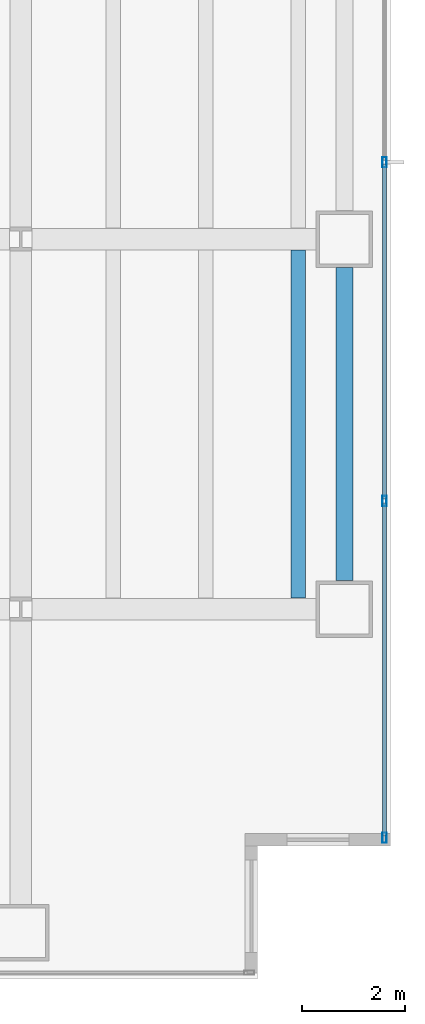
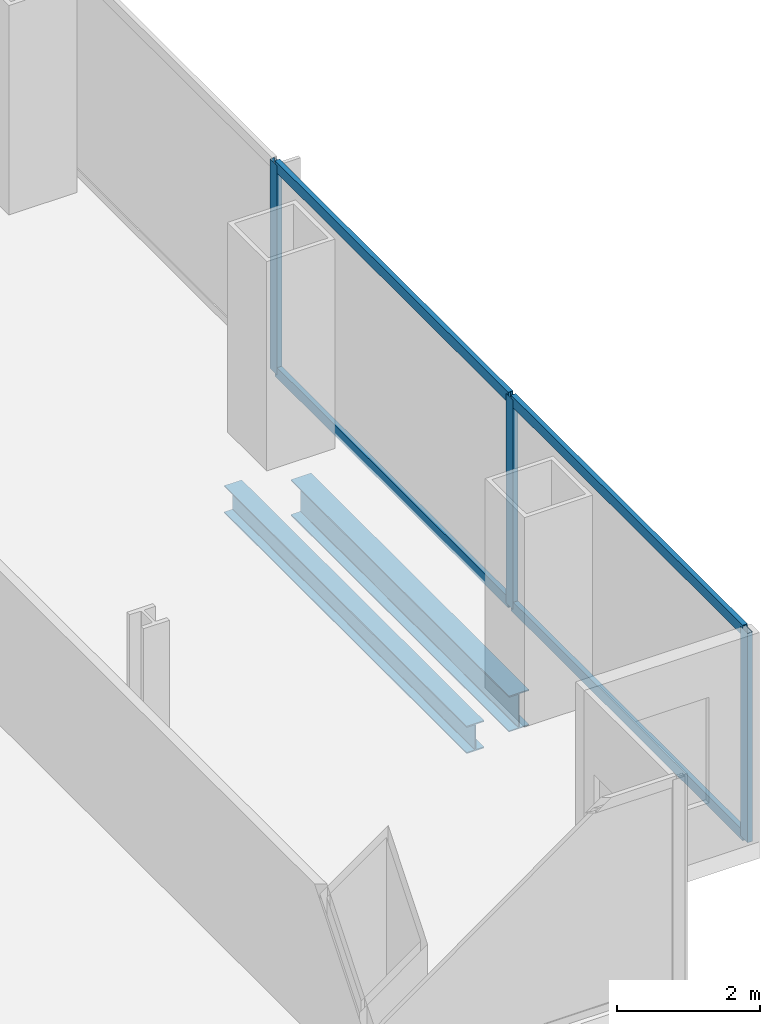
# One storey, part 10 of 25: 7 members, 2 beams, 1 element without a shape of its own.
"""IFC4 building model written with IfcOpenShell, lengths in metres."""

from ifc_helpers import new_model, si_unit, direction, frame, origin, origin_2d, place, context, subcontext, project, spatial, hollow_rectangle, i_section, extrude, material, material_profile, profile_set, type_object, element, aggregate, save


model = new_model("IFC4")

# Units and contexts
model_context = context("Model", 3, precision=1e-05, world=origin(), true_north=direction((0.0, 1.0)))
body_context = subcontext(model_context, "Body", "Model", "MODEL_VIEW")
ifc_project = project(units=[si_unit("LENGTHUNIT", "METRE"), si_unit("AREAUNIT", "SQUARE_METRE"), si_unit("VOLUMEUNIT", "CUBIC_METRE"), si_unit("PLANEANGLEUNIT", "RADIAN"), si_unit("MASSUNIT", "GRAM", prefix="KILO")], contexts=[model_context])

# Site, building, storey
site_placement = place(None, origin())
site = spatial("IfcSite", under=ifc_project, at=site_placement, CompositionType="ELEMENT")
building_placement = place(site_placement, origin())
building = spatial("IfcBuilding", under=site, at=building_placement, Name="Cobrela Telecom Tower", CompositionType="ELEMENT")
storey_placement = place(building_placement, frame((0.0, 0.0, 35.0)))
storey = spatial("IfcBuildingStorey", under=building, at=storey_placement, Name="L08", CompositionType="ELEMENT", Elevation=35.0)

# Beams
ifc_material_1 = material(Name="Steel ASTM A992 Grade 50", Category="steel")
ifc_material_profile_1 = material_profile(ifc_material_1, i_section(OverallWidth=0.281982421875, OverallDepth=0.467041015625, WebThickness=0.01220703125, FlangeThickness=0.01953125, FilletRadius=0.012939453125, at=origin_2d()), Name="W18X86")
ifc_profile_set_1 = profile_set([ifc_material_profile_1], Name="Steel ASTM A992 Grade 50")
beam_type_1 = type_object("IfcBeamType", Name="BM-JOIST-02", PredefinedType="JOIST", material=ifc_profile_set_1)
beam_1_placement = place(storey_placement, frame((48.60009765625, 7.41455078125, -0.513427734375), z_axis=(0.0, 1.0, 0.0), x_axis=(-1.0, 0.0, 0.0)))
element("IfcBeam", 1, at=beam_1_placement, inside=storey, type_object=beam_type_1, Name="L08 Secondary Composite Floor Beam J63", PredefinedType="JOIST", context=body_context, shape_type="SweptSolid", body=[
    extrude(i_section(OverallWidth=0.281982421875, OverallDepth=0.467041015625, WebThickness=0.01220703125, FlangeThickness=0.01953125, FilletRadius=0.012939453125, at=origin_2d()), origin(), (0.0, 0.0, 1.0), 6.77099609375),
])
ifc_material_profile_2 = material_profile(ifc_material_1, i_section(OverallWidth=0.324951171875, OverallDepth=0.612060546875, WebThickness=0.0126953125, FlangeThickness=0.01904296875, FilletRadius=0.014892578125, at=origin_2d()), Name="W24X104")
ifc_profile_set_2 = profile_set([ifc_material_profile_2], Name="Steel ASTM A992 Grade 50")
beam_type_2 = type_object("IfcBeamType", Name="BM-SPAND-02", PredefinedType="SPANDREL", material=ifc_profile_set_2)
beam_2_placement = place(storey_placement, frame((49.5, 7.7548828125, -0.5859375), z_axis=(0.0, 1.0, 0.0), x_axis=(-1.0, 0.0, 0.0)))
element("IfcBeam", 2, at=beam_2_placement, inside=storey, type_object=beam_type_2, Name="L08 Perimeter Spandrel Y56", PredefinedType="SPANDREL", context=body_context, shape_type="SweptSolid", body=[
    extrude(i_section(OverallWidth=0.324951171875, OverallDepth=0.612060546875, WebThickness=0.0126953125, FlangeThickness=0.01904296875, FilletRadius=0.014892578125, at=origin_2d()), origin(), (0.0, 0.0, 1.0), 6.090087890625),
])

# Curtain wall, members
ifc_material_2 = material(Name="Anodized Bronze Aluminium 6063-T6", Category="aluminium")
curtain_wall_type = type_object("IfcCurtainWallType", Name="CW-SYS-DATA", PredefinedType="USERDEFINED", material=ifc_material_2)
curtain_wall_placement = place(storey_placement, origin())
curtain_wall = element("IfcCurtainWall", 3, at=curtain_wall_placement, inside=storey, type_object=curtain_wall_type, Name="L08 Unitised Bronze Curtain Wall 14", ObjectType="UNITISED CURTAIN WALL", PredefinedType="USERDEFINED")
ifc_material_profile_3 = material_profile(ifc_material_2, hollow_rectangle(XDim=0.080078125, YDim=0.199951171875, WallThickness=0.00390625, at=origin_2d()), Name="ALU 80x200x4")
ifc_profile_set_3 = profile_set([ifc_material_profile_3], Name="Anodized Bronze Aluminium 6063-T6")
member_type_1 = type_object("IfcMemberType", Name="CW-SYS-DATA-MUL", PredefinedType="MULLION", material=ifc_profile_set_3)
member_1_placement = place(storey_placement, frame((50.280029296875, 15.896728515625, 0.0), z_axis=(0.0, 0.0, 1.0), x_axis=(1.0, 0.0, 0.0)))
member_1 = element("IfcMember", 4, at=member_1_placement, type_object=member_type_1, Name="CW-DATA mullion 2", PredefinedType="MULLION", context=body_context, shape_type="SweptSolid", body=[
    extrude(hollow_rectangle(XDim=0.080078125, YDim=0.199951171875, WallThickness=0.00390625, at=origin_2d()), origin(), (0.0, 0.0, 1.0), 3.570068359375),
])
member_2_placement = place(storey_placement, frame((50.280029296875, 9.30322265625, 0.0), z_axis=(0.0, 0.0, 1.0), x_axis=(1.0, 0.0, 0.0)))
member_2 = element("IfcMember", 5, at=member_2_placement, type_object=member_type_1, Name="CW-DATA mullion 3", PredefinedType="MULLION", context=body_context, shape_type="SweptSolid", body=[
    extrude(hollow_rectangle(XDim=0.080078125, YDim=0.199951171875, WallThickness=0.00390625, at=origin_2d()), origin(), (0.0, 0.0, 1.0), 3.570068359375),
])
member_3_placement = place(storey_placement, frame((50.280029296875, 2.75, 0.0), z_axis=(0.0, 0.0, 1.0), x_axis=(1.0, 0.0, 0.0)))
member_3 = element("IfcMember", 6, at=member_3_placement, type_object=member_type_1, Name="CW-DATA mullion 4", PredefinedType="MULLION", context=body_context, shape_type="SweptSolid", body=[
    extrude(hollow_rectangle(XDim=0.080078125, YDim=0.199951171875, WallThickness=0.00390625, at=origin_2d()), origin(), (0.0, 0.0, 1.0), 3.570068359375),
])
ifc_material_profile_4 = material_profile(ifc_material_2, hollow_rectangle(XDim=0.074951171875, YDim=0.179931640625, WallThickness=0.00390625, at=origin_2d()), Name="ALU 75x180x4")
ifc_profile_set_4 = profile_set([ifc_material_profile_4], Name="Anodized Bronze Aluminium 6063-T6")
member_type_2 = type_object("IfcMemberType", Name="CW-SYS-DATA-TRN", PredefinedType="USERDEFINED", material=ifc_profile_set_4)
member_4_placement = place(storey_placement, frame((50.280029296875, 15.856689453125, 0.03759765625), z_axis=(0.0, -1.0, 0.0), x_axis=(1.0, 0.0, 0.0)))
member_4 = element("IfcMember", 7, at=member_4_placement, type_object=member_type_2, Name="CW-DATA transom 2.1", ObjectType="TRANSOM", PredefinedType="USERDEFINED", context=body_context, shape_type="SweptSolid", body=[
    extrude(hollow_rectangle(XDim=0.074951171875, YDim=0.179931640625, WallThickness=0.00390625, at=origin_2d()), origin(), (0.0, 0.0, 1.0), 6.513427734375),
])
member_5_placement = place(storey_placement, frame((50.280029296875, 15.856689453125, 3.532470703125), z_axis=(0.0, -1.0, 0.0), x_axis=(1.0, 0.0, 0.0)))
member_5 = element("IfcMember", 8, at=member_5_placement, type_object=member_type_2, Name="CW-DATA transom 2.2", ObjectType="TRANSOM", PredefinedType="USERDEFINED", context=body_context, shape_type="SweptSolid", body=[
    extrude(hollow_rectangle(XDim=0.074951171875, YDim=0.179931640625, WallThickness=0.00390625, at=origin_2d()), origin(), (0.0, 0.0, 1.0), 6.513427734375),
])
member_6_placement = place(storey_placement, frame((50.280029296875, 9.263427734375, 0.03759765625), z_axis=(0.0, -1.0, 0.0), x_axis=(1.0, 0.0, 0.0)))
member_6 = element("IfcMember", 9, at=member_6_placement, type_object=member_type_2, Name="CW-DATA transom 3.1", ObjectType="TRANSOM", PredefinedType="USERDEFINED", context=body_context, shape_type="SweptSolid", body=[
    extrude(hollow_rectangle(XDim=0.074951171875, YDim=0.179931640625, WallThickness=0.00390625, at=origin_2d()), origin(), (0.0, 0.0, 1.0), 6.473388671875),
])
member_7_placement = place(storey_placement, frame((50.280029296875, 9.263427734375, 3.532470703125), z_axis=(0.0, -1.0, 0.0), x_axis=(1.0, 0.0, 0.0)))
member_7 = element("IfcMember", 10, at=member_7_placement, type_object=member_type_2, Name="CW-DATA transom 3.2", ObjectType="TRANSOM", PredefinedType="USERDEFINED", context=body_context, shape_type="SweptSolid", body=[
    extrude(hollow_rectangle(XDim=0.074951171875, YDim=0.179931640625, WallThickness=0.00390625, at=origin_2d()), origin(), (0.0, 0.0, 1.0), 6.473388671875),
])
aggregate(curtain_wall, [member_1, member_2, member_3, member_4, member_5, member_6, member_7])

save(model, "model.ifc")
